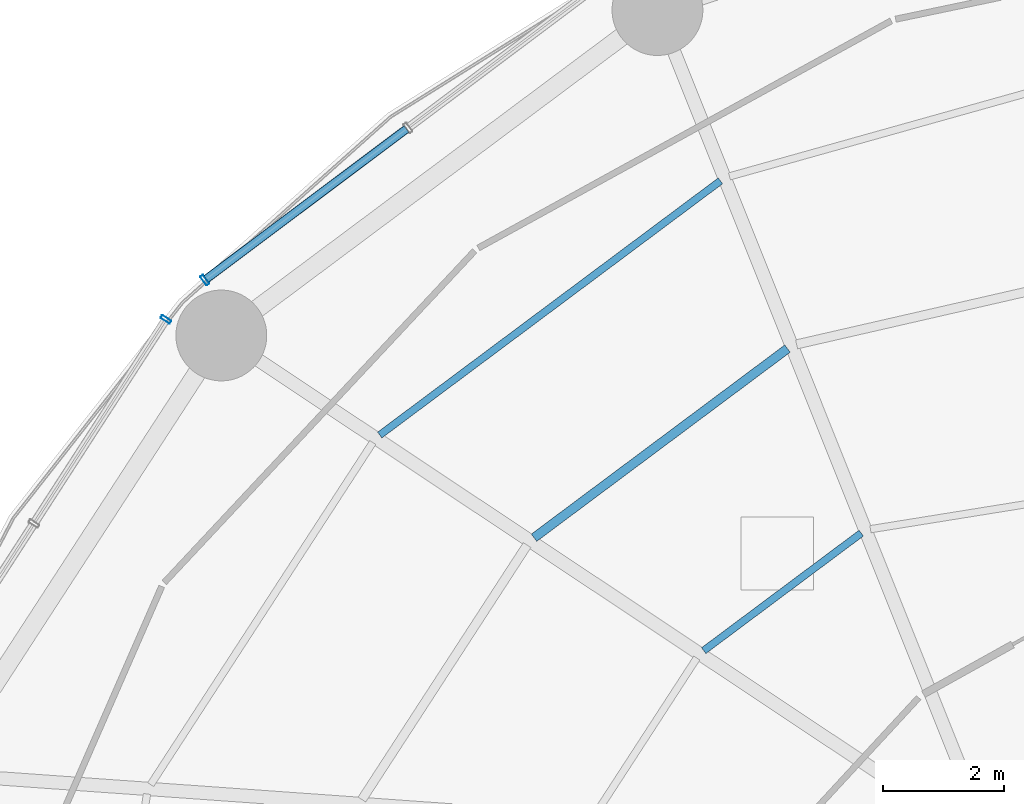
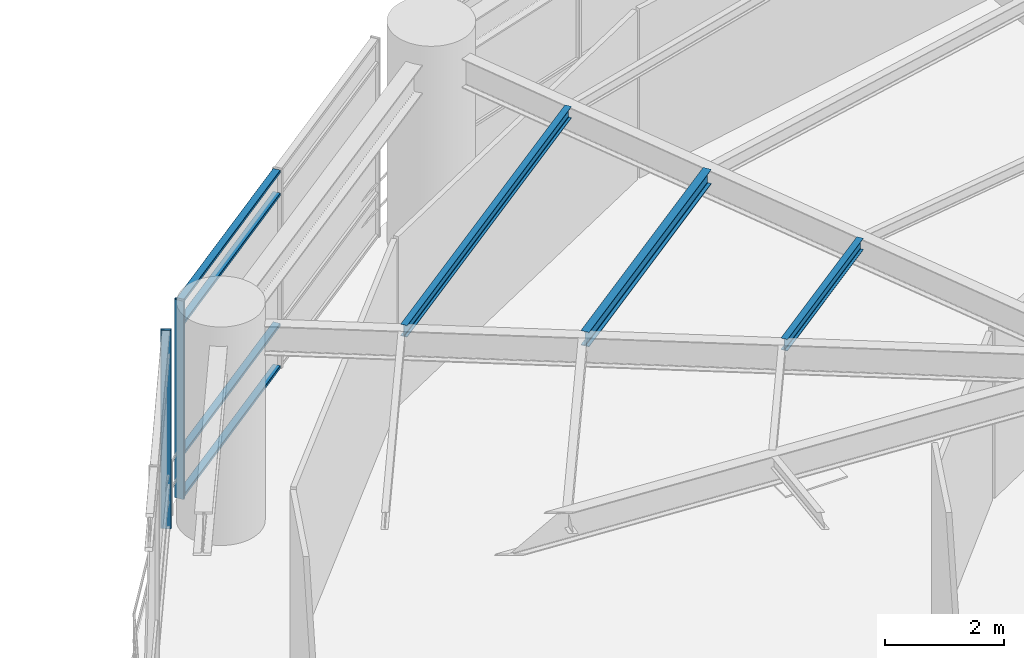
# One storey, part 29 of 52: 6 members, 3 beams, 2 elements without a shape of their own.
"""IFC4 building model written with IfcOpenShell, lengths in metres."""

from ifc_helpers import new_model, si_unit, direction, frame, origin, origin_2d, place, context, subcontext, project, spatial, hollow_rectangle, i_section, extrude, material, layer, layer_set, material_profile, profile_set, type_object, element, aggregate, save


model = new_model("IFC4")

# Units and contexts
model_context = context("Model", 3, precision=1e-05, world=origin(), true_north=direction((0.0, 1.0)))
body_context = subcontext(model_context, "Body", "Model", "MODEL_VIEW")
ifc_project = project(units=[si_unit("LENGTHUNIT", "METRE"), si_unit("AREAUNIT", "SQUARE_METRE"), si_unit("VOLUMEUNIT", "CUBIC_METRE"), si_unit("PLANEANGLEUNIT", "RADIAN"), si_unit("MASSUNIT", "GRAM", prefix="KILO")], contexts=[model_context])

# Site, building, storey
site_placement = place(None, origin())
site = spatial("IfcSite", under=ifc_project, at=site_placement, CompositionType="ELEMENT")
building_placement = place(site_placement, origin())
building = spatial("IfcBuilding", under=site, at=building_placement, Name="Kelanora Arch Commons", CompositionType="ELEMENT")
storey_placement = place(building_placement, frame((0.0, 0.0, 13.5)))
storey = spatial("IfcBuildingStorey", under=building, at=storey_placement, Name="L03", CompositionType="ELEMENT", Elevation=13.5)

# Beams
ifc_material_1 = material(Name="Steel S355", Category="steel")
ifc_material_profile_1 = material_profile(ifc_material_1, i_section(OverallWidth=0.14990234375, OverallDepth=0.300048828125, WebThickness=0.007080078125, FlangeThickness=0.0107421875, FilletRadius=0.014892578125, at=origin_2d()), Name="IPE300")
ifc_profile_set_1 = profile_set([ifc_material_profile_1], Name="Steel S355")
beam_type_1 = type_object("IfcBeamType", Name="BM-JST-01", PredefinedType="JOIST", material=ifc_profile_set_1)
beam_1_placement = place(storey_placement, frame((62.60791015625, 73.261474609375, 3.949951171875), z_axis=(-0.801478251559, -0.598023922831, 0.0), x_axis=(0.598023922831, -0.801478251559, 0.0)))
element("IfcBeam", 1, at=beam_1_placement, inside=storey, type_object=beam_type_1, Name="Secondary Chord Joist BJB-12 L03", PredefinedType="JOIST", context=body_context, shape_type="SweptSolid", body=[
    extrude(i_section(OverallWidth=0.14990234375, OverallDepth=0.300048828125, WebThickness=0.007080078125, FlangeThickness=0.0107421875, FilletRadius=0.014892578125, at=origin_2d()), origin(), (0.0, 0.0, 1.0), 5.223388671875),
])
ifc_material_profile_2 = material_profile(ifc_material_1, i_section(OverallWidth=0.1201171875, OverallDepth=0.239990234375, WebThickness=0.006103515625, FlangeThickness=0.009765625, FilletRadius=0.014892578125, at=origin_2d()), Name="IPE240")
ifc_profile_set_2 = profile_set([ifc_material_profile_2], Name="Steel S355")
beam_type_2 = type_object("IfcBeamType", Name="BM-JST-02", PredefinedType="JOIST", material=ifc_profile_set_2)
beam_2_placement = place(storey_placement, frame((63.82666015625, 70.213623046875, 3.97998046875), z_axis=(-0.801513822608, -0.59797624716, 0.0), x_axis=(0.59797624716, -0.801513822608, 0.0)))
element("IfcBeam", 2, at=beam_2_placement, inside=storey, type_object=beam_type_2, Name="Secondary Chord Joist BJA-12 L03", PredefinedType="JOIST", context=body_context, shape_type="SweptSolid", body=[
    extrude(i_section(OverallWidth=0.1201171875, OverallDepth=0.239990234375, WebThickness=0.006103515625, FlangeThickness=0.009765625, FilletRadius=0.014892578125, at=origin_2d()), origin(), (0.0, 0.0, 1.0), 3.245849609375),
])
beam_3_placement = place(storey_placement, frame((61.5, 76.0322265625, 3.97998046875), z_axis=(-0.80149131963, -0.598006408459, 0.0), x_axis=(0.598006408459, -0.80149131963, 0.0)))
element("IfcBeam", 3, at=beam_3_placement, inside=storey, type_object=beam_type_2, Name="Secondary Chord Joist BJC-12 L03", PredefinedType="JOIST", context=body_context, shape_type="SweptSolid", body=[
    extrude(i_section(OverallWidth=0.1201171875, OverallDepth=0.239990234375, WebThickness=0.006103515625, FlangeThickness=0.009765625, FilletRadius=0.014892578125, at=origin_2d()), origin(), (0.0, 0.0, 1.0), 7.021240234375),
])

# Curtain wall, member
ifc_material_2 = material(Name="Terracotta ceramic-fritted low-E glass and aluminium", Category="masonry")
ifc_layer = layer(ifc_material_2, 0.2099609375)
ifc_layer_set = layer_set([ifc_layer], Name="Terracotta ceramic-fritted low-E glass and aluminium")
curtain_wall_type = type_object("IfcCurtainWallType", Name="CW-SYS-04", PredefinedType="NOTDEFINED", material=ifc_layer_set)
curtain_wall_1_placement = place(storey_placement, origin())
curtain_wall_1 = element("IfcCurtainWall", 4, at=curtain_wall_1_placement, inside=storey, type_object=curtain_wall_type, Name="Unitised Curtain Wall L03-B06", PredefinedType="NOTDEFINED")
ifc_material_3 = material(Name="Powder-coated aluminium terracotta", Category="masonry")
ifc_material_profile_3 = material_profile(ifc_material_3, hollow_rectangle(XDim=0.179931640625, YDim=0.06005859375, WallThickness=0.0048828125, InnerFilletRadius=0.0048828125, OuterFilletRadius=0.010009765625, at=origin_2d()), Name="CWM180x60")
ifc_profile_set_3 = profile_set([ifc_material_profile_3], Name="Powder-coated aluminium terracotta")
member_type_1 = type_object("IfcMemberType", Name="CWM-HVY", PredefinedType="MULLION", material=ifc_profile_set_3)
member_1_placement = place(storey_placement, frame((52.983154296875, 74.3935546875, 0.0), z_axis=(0.0, 0.0, 1.0), x_axis=(0.59959262407, -0.800305369944, 0.0)))
member_1 = element("IfcMember", 5, at=member_1_placement, type_object=member_type_1, Name="CW-04 mullion 3", PredefinedType="MULLION", context=body_context, shape_type="SweptSolid", body=[
    extrude(hollow_rectangle(XDim=0.179931640625, YDim=0.06005859375, WallThickness=0.0048828125, InnerFilletRadius=0.0048828125, OuterFilletRadius=0.010009765625, at=origin_2d()), origin(), (0.0, 0.0, 1.0), 4.0849609375),
])

curtain_wall_2_placement = place(storey_placement, origin())
curtain_wall_2 = element("IfcCurtainWall", 6, at=curtain_wall_2_placement, inside=storey, type_object=curtain_wall_type, Name="Unitised Curtain Wall L03-B07", PredefinedType="NOTDEFINED")
member_2_placement = place(storey_placement, frame((52.340087890625, 73.74365234375, 0.0), z_axis=(0.0, 0.0, 1.0), x_axis=(0.839728582399, -0.54300636083, 0.0)))
member_2 = element("IfcMember", 7, at=member_2_placement, type_object=member_type_1, Name="CW-04 mullion 1", PredefinedType="MULLION", context=body_context, shape_type="SweptSolid", body=[
    extrude(hollow_rectangle(XDim=0.179931640625, YDim=0.06005859375, WallThickness=0.0048828125, InnerFilletRadius=0.0048828125, OuterFilletRadius=0.010009765625, at=origin_2d()), origin(), (0.0, 0.0, 1.0), 4.0849609375),
])
aggregate(curtain_wall_2, [member_2])

# Member
ifc_material_profile_4 = material_profile(ifc_material_3, hollow_rectangle(XDim=0.139892578125, YDim=0.06005859375, WallThickness=0.0048828125, InnerFilletRadius=0.0048828125, OuterFilletRadius=0.010009765625, at=origin_2d()), Name="CWT140x60")
ifc_profile_set_4 = profile_set([ifc_material_profile_4], Name="Powder-coated aluminium terracotta")
member_type_2 = type_object("IfcMemberType", Name="CWT-HVY", PredefinedType="USERDEFINED", material=ifc_profile_set_4)
member_3_placement = place(storey_placement, frame((56.314697265625, 76.8896484375, 0.030029296875), z_axis=(-0.800311793759, -0.599584049797, 0.0), x_axis=(0.599584049797, -0.800311793759, 0.0)))
member_3 = element("IfcMember", 8, at=member_3_placement, type_object=member_type_2, Name="CW-04 transom 2.1", ObjectType="TRANSOM", PredefinedType="USERDEFINED", context=body_context, shape_type="SweptSolid", body=[
    extrude(hollow_rectangle(XDim=0.139892578125, YDim=0.06005859375, WallThickness=0.0048828125, InnerFilletRadius=0.0048828125, OuterFilletRadius=0.010009765625, at=origin_2d()), origin(), (0.0, 0.0, 1.0), 4.1328125),
])

member_4_placement = place(storey_placement, frame((56.314697265625, 76.8896484375, 0.89990234375), z_axis=(-0.800311793759, -0.599584049797, 0.0), x_axis=(0.599584049797, -0.800311793759, 0.0)))
member_4 = element("IfcMember", 9, at=member_4_placement, type_object=member_type_2, Name="CW-04 transom 2.2", ObjectType="TRANSOM", PredefinedType="USERDEFINED", context=body_context, shape_type="SweptSolid", body=[
    extrude(hollow_rectangle(XDim=0.139892578125, YDim=0.06005859375, WallThickness=0.0048828125, InnerFilletRadius=0.0048828125, OuterFilletRadius=0.010009765625, at=origin_2d()), origin(), (0.0, 0.0, 1.0), 4.1328125),
])

member_5_placement = place(storey_placement, frame((56.314697265625, 76.8896484375, 3.5849609375), z_axis=(-0.800311793759, -0.599584049797, 0.0), x_axis=(0.599584049797, -0.800311793759, 0.0)))
member_5 = element("IfcMember", 10, at=member_5_placement, type_object=member_type_2, Name="CW-04 transom 2.3", ObjectType="TRANSOM", PredefinedType="USERDEFINED", context=body_context, shape_type="SweptSolid", body=[
    extrude(hollow_rectangle(XDim=0.139892578125, YDim=0.06005859375, WallThickness=0.0048828125, InnerFilletRadius=0.0048828125, OuterFilletRadius=0.010009765625, at=origin_2d()), origin(), (0.0, 0.0, 1.0), 4.1328125),
])

member_6_placement = place(storey_placement, frame((56.314697265625, 76.8896484375, 4.054931640625), z_axis=(-0.800311793759, -0.599584049797, 0.0), x_axis=(0.599584049797, -0.800311793759, 0.0)))
member_6 = element("IfcMember", 11, at=member_6_placement, type_object=member_type_2, Name="CW-04 transom 2.4", ObjectType="TRANSOM", PredefinedType="USERDEFINED", context=body_context, shape_type="SweptSolid", body=[
    extrude(hollow_rectangle(XDim=0.139892578125, YDim=0.06005859375, WallThickness=0.0048828125, InnerFilletRadius=0.0048828125, OuterFilletRadius=0.010009765625, at=origin_2d()), origin(), (0.0, 0.0, 1.0), 4.1328125),
])

aggregate(curtain_wall_1, [member_1, member_3, member_4, member_5, member_6])

save(model, "model.ifc")
